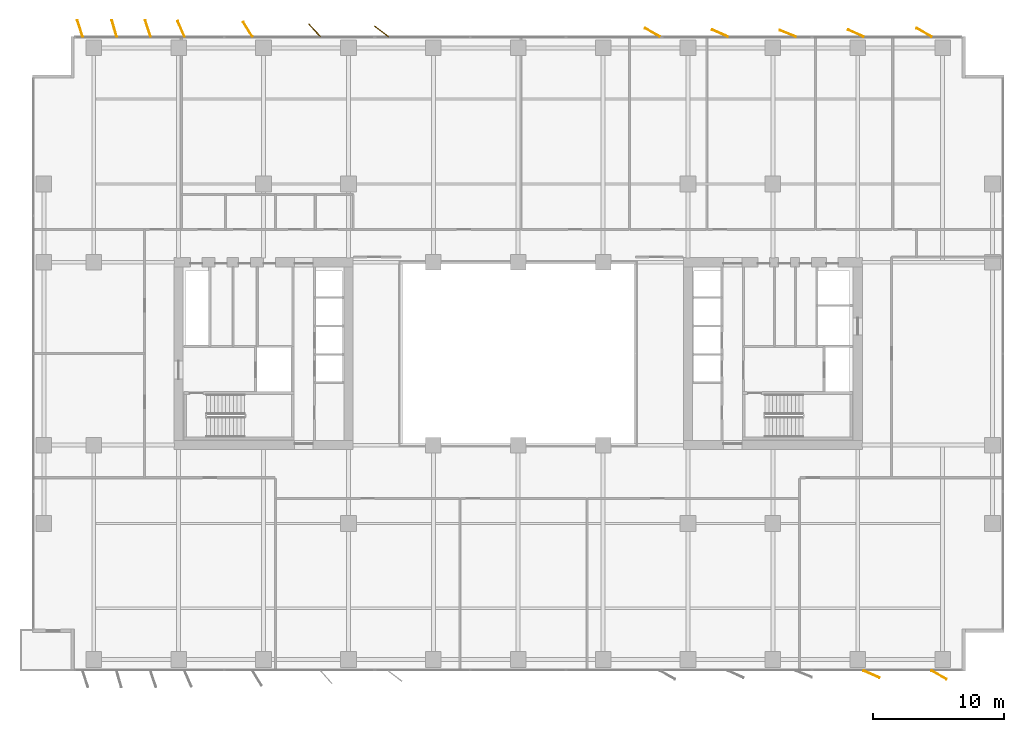
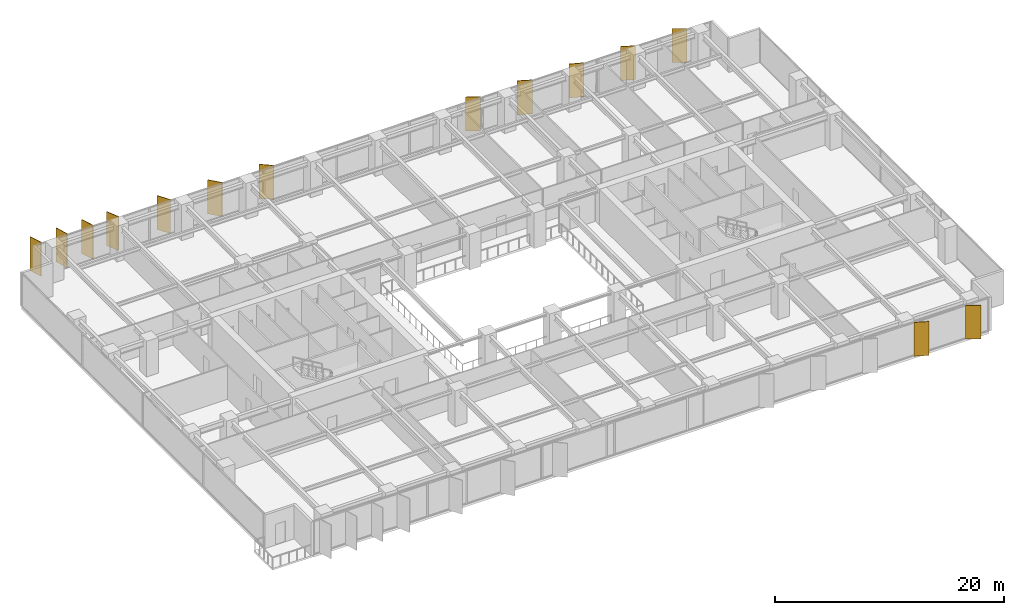
# One storey, part 20 of 20: 14 shading devices.
"""IFC4 building model written with IfcOpenShell, lengths in metres."""

import ifcopenshell
import ifcopenshell.guid

model = None  # the IFC model being written
_history = None  # IfcOwnerHistory: only IFC2X3 demands one
_inside = {}  # id of a spatial element -> (the spatial element, [elements in it])
_under = {}  # id of a project, library or spatial element -> (it, [spatial elements below it])
_declared = {}  # id of a project -> (the project, [libraries it declares])
_typed = {}  # id of a type object -> (the type object, [elements of that type])
_made_of = {}  # id of a material, layer set ... -> (it, [elements and type objects made of it])


def new_model(schema):
    """Start an empty IFC model of exactly this schema.

    Asked for "IFC4X3", IfcOpenShell would pick the latest addendum, in which some entities
    have other attributes; the version numbers below select the first issue.
    IFC2X3 requires an IfcOwnerHistory on every rooted entity: one is made here for all.
    """
    global model, _history
    if schema == "IFC4X3":
        model = ifcopenshell.file(schema_version=(4, 3, 0, 0))
    else:
        model = ifcopenshell.file(schema=schema)
    _inside.clear()
    _under.clear()
    _declared.clear()
    _typed.clear()
    _made_of.clear()
    _history = None
    if model.schema == "IFC2X3":
        org = make("IfcOrganization", Name="unknown")
        user = make(
            "IfcPersonAndOrganization",
            ThePerson=make("IfcPerson", FamilyName="unknown"),
            TheOrganization=org,
        )
        app = make(
            "IfcApplication",
            ApplicationDeveloper=org,
            Version="unknown",
            ApplicationFullName="unknown",
            ApplicationIdentifier="unknown",
        )
        _history = make(
            "IfcOwnerHistory",
            OwningUser=user,
            OwningApplication=app,
            ChangeAction="ADDED",
            CreationDate=0,
        )
    return model


def make(cls, **values):
    """One entity of the class cls with the attributes given. An attribute that is None is left unset."""
    return model.create_entity(
        cls, **{name: value for name, value in values.items() if value is not None}
    )


def rooted(cls, **values):
    """An entity with a GlobalId (a new one), such as an element, a storey or a relation."""
    return make(cls, GlobalId=ifcopenshell.guid.new(), OwnerHistory=_history, **values)


def si_unit(unit_type, name, prefix=None):
    """IfcSIUnit, for example si_unit("LENGTHUNIT", "METRE", prefix="MILLI")."""
    return make("IfcSIUnit", UnitType=unit_type, Prefix=prefix, Name=name)


def assignment(units):
    """IfcUnitAssignment: the units of a project."""
    return None if units is None else make("IfcUnitAssignment", Units=units)


def point(xyz):
    """IfcCartesianPoint."""
    return None if xyz is None else make("IfcCartesianPoint", Coordinates=xyz)


def direction(xyz):
    """IfcDirection."""
    return None if xyz is None else make("IfcDirection", DirectionRatios=xyz)


def frame(location, z_axis=None, x_axis=None):
    """IfcAxis2Placement3D, a coordinate frame: its origin and axes. An axis left out is left unset."""
    return make(
        "IfcAxis2Placement3D",
        Location=point(location),
        Axis=direction(z_axis),
        RefDirection=direction(x_axis),
    )


def frame_2d(location, x_axis=None):
    """IfcAxis2Placement2D, a coordinate frame in the plane: its origin and x axis."""
    return make(
        "IfcAxis2Placement2D", Location=point(location), RefDirection=direction(x_axis)
    )


def origin():
    """The frame at (0, 0, 0) with its axes left unset."""
    return frame((0.0, 0.0, 0.0))


def origin_2d():
    """The frame at (0, 0) in the plane with its x axis left unset."""
    return frame_2d((0.0, 0.0))


def place(relative_to, where):
    """IfcLocalPlacement: puts the frame where relative to a parent placement (None: the world)."""
    return make(
        "IfcLocalPlacement", PlacementRelTo=relative_to, RelativePlacement=where
    )


def context(
    kind, dimensions, precision=None, world=None, true_north=None, identifier=None
):
    """IfcGeometricRepresentationContext, for example the 3D "Model" context."""
    return make(
        "IfcGeometricRepresentationContext",
        ContextIdentifier=identifier,
        ContextType=kind,
        CoordinateSpaceDimension=dimensions,
        Precision=precision,
        WorldCoordinateSystem=world,
        TrueNorth=true_north,
    )


def subcontext(parent, identifier, kind, view, scale=None):
    """IfcGeometricRepresentationSubContext, for example "Body" below "Model"."""
    return make(
        "IfcGeometricRepresentationSubContext",
        ContextIdentifier=identifier,
        ContextType=kind,
        ParentContext=parent,
        TargetScale=scale,
        TargetView=view,
    )


def project(units=None, contexts=None):
    """IfcProject with its units and contexts."""
    return rooted(
        "IfcProject",
        Name="project",
        RepresentationContexts=contexts,
        UnitsInContext=assignment(units),
    )


def spatial(cls, under=None, at=None, **own):
    """A site, building, storey or space (cls), placed at a placement, below another one or the project."""
    s = rooted(cls, ObjectPlacement=at, **own)
    if under is not None:
        _under.setdefault(under.id(), (under, []))[1].append(s)
    return s


def profile(cls, at=None, kind="AREA", **sizes):
    """A parametric profile (cls). Its sizes go by their IFC names, for example OverallWidth=200.0."""
    return make(cls, ProfileType=kind, Position=at, **sizes)


def rectangle(**sizes):
    """IfcRectangleProfileDef."""
    return profile("IfcRectangleProfileDef", **sizes)


def extrude(swept, where, along, depth):
    """IfcExtrudedAreaSolid: the profile swept, set in the frame where, extruded along a direction by depth."""
    return make(
        "IfcExtrudedAreaSolid",
        SweptArea=swept,
        Position=where,
        ExtrudedDirection=direction(along),
        Depth=depth,
    )


def shape(context_of_items, identifier, shape_type, items):
    """IfcShapeRepresentation: the items that make up one representation, for example the "Body"."""
    return make(
        "IfcShapeRepresentation",
        ContextOfItems=context_of_items,
        RepresentationIdentifier=identifier,
        RepresentationType=shape_type,
        Items=items,
    )


def material(Name=None, Category=None):
    """IfcMaterial."""
    return make("IfcMaterial", Name=Name, Category=Category)


def layer(
    of_material, thickness, ventilated=None, Name=None, Category=None, Priority=None
):
    """IfcMaterialLayer: one layer of a wall or slab, of a material (None: an air gap)."""
    return make(
        "IfcMaterialLayer",
        Material=of_material,
        LayerThickness=thickness,
        IsVentilated=ventilated,
        Name=Name,
        Category=Category,
        Priority=Priority,
    )


def layer_set(layers, Name=None):
    """IfcMaterialLayerSet."""
    return make("IfcMaterialLayerSet", MaterialLayers=layers, LayerSetName=Name)


def made_of(thing, what):
    """Note that an element or type object is made of a material, layer set ...; save() writes the relation."""
    if what is not None:
        _made_of.setdefault(what.id(), (what, []))[1].append(thing)
    return thing


def type_object(cls, material=None, **own):
    """A type object (cls), such as IfcWallType, which elements share."""
    return made_of(rooted(cls, **own), material)


def element(
    cls,
    number,
    at=None,
    inside=None,
    cuts=None,
    type_object=None,
    material=None,
    context=None,
    identifier="Body",
    shape_type=None,
    held_by="IfcProductDefinitionShape",
    body=None,
    shapes=None,
    **own,
):
    """One element of the class cls, such as IfcWall. Its Tag is "e" and its number.

    at: its placement. inside: the storey or other place that contains it. cuts: it is an
    opening in that element (IfcRelVoidsElement). A single representation is given by context,
    identifier, shape_type and body (its items); several are given by shapes. held_by: the class
    of the entity that holds the representations. save() writes the other relations.
    """
    e = rooted(cls, Tag="e%d" % number, ObjectPlacement=at, **own)
    if body is not None:
        shapes = [shape(context, identifier, shape_type, body)]
    if shapes is not None:
        e.Representation = make(held_by, Representations=shapes)
    if inside is not None:
        _inside.setdefault(inside.id(), (inside, []))[1].append(e)
    if cuts is not None:
        rooted(
            "IfcRelVoidsElement", RelatingBuildingElement=cuts, RelatedOpeningElement=e
        )
    if type_object is not None:
        _typed.setdefault(type_object.id(), (type_object, []))[1].append(e)
    return made_of(e, material)


def aggregate(whole, parts):
    """IfcRelAggregates: a whole, such as a stair, and the parts it consists of."""
    return rooted("IfcRelAggregates", RelatingObject=whole, RelatedObjects=parts)


def save(model, path):
    """Write the relations noted so far, then the file.

    IfcRelAggregates (storeys below a building ...), IfcRelContainedInSpatialStructure (elements
    in a storey), IfcRelDefinesByType, IfcRelAssociatesMaterial and IfcRelDeclares: one each for
    every whole, place, type object, material and project.
    """
    for whole, parts in _under.values():
        aggregate(whole, parts)
    for where, things in _inside.values():
        rooted(
            "IfcRelContainedInSpatialStructure",
            RelatedElements=things,
            RelatingStructure=where,
        )
    for kind, things in _typed.values():
        rooted("IfcRelDefinesByType", RelatedObjects=things, RelatingType=kind)
    for what, things in _made_of.values():
        rooted("IfcRelAssociatesMaterial", RelatedObjects=things, RelatingMaterial=what)
    for by, libraries in _declared.values():
        rooted("IfcRelDeclares", RelatingContext=by, RelatedDefinitions=libraries)
    model.write(path)


model = new_model("IFC4")

# Units and contexts
model_context = context("Model", 3, precision=1e-05, world=origin(), true_north=direction((0.0, 1.0)))
body_context = subcontext(model_context, "Body", "Model", "MODEL_VIEW")
ifc_project = project(units=[si_unit("LENGTHUNIT", "METRE"), si_unit("AREAUNIT", "SQUARE_METRE"), si_unit("VOLUMEUNIT", "CUBIC_METRE"), si_unit("PLANEANGLEUNIT", "RADIAN"), si_unit("MASSUNIT", "GRAM", prefix="KILO")], contexts=[model_context])

# Site, building, storey
site_placement = place(None, origin())
site = spatial("IfcSite", under=ifc_project, at=site_placement, CompositionType="ELEMENT")
building_placement = place(site_placement, origin())
building = spatial("IfcBuilding", under=site, at=building_placement, Name="Putna Gate Headquarters", CompositionType="ELEMENT")
storey_placement = place(building_placement, frame((0.0, 0.0, 105.0)))
storey = spatial("IfcBuildingStorey", under=building, at=storey_placement, Name="L25", CompositionType="ELEMENT", Elevation=105.0)

# Shading devices
ifc_material = material(Name="Anodised architectural bronze aluminium fin", Category="aluminium")
ifc_layer = layer(ifc_material, 0.06494140625)
ifc_layer_set = layer_set([ifc_layer], Name="Anodised architectural bronze aluminium fin")
shading_device_type = type_object("IfcShadingDeviceType", Name="SHADE-BRONZE-FIN-1320", PredefinedType="USERDEFINED", material=ifc_layer_set)
for number, where, z_axis, x_axis, name in (
    (1, (5.4462890625, 50.90283203125, -0.02001953125), (0.0, 0.0, 1.0), (-0.308684994204, 0.951164325631, 0.0), "L25 Bronze Vertical Shading Fin N1"),
    (2, (8.068115234375, 50.909423828125, -0.02001953125), (0.0, 0.0, 1.0), (-0.275637355817, 0.961261695938, 0.0), "L25 Bronze Vertical Shading Fin N2"),
    (3, (10.646240234375, 50.90283203125, -0.02001953125), (0.0, 0.0, 1.0), (-0.308684994204, 0.951164325631, 0.0), "L25 Bronze Vertical Shading Fin N3"),
    (4, (13.185546875, 50.879638671875, -0.02001953125), (0.0, 0.0, 1.0), (-0.400668879095, 0.916222925562, 0.0), "L25 Bronze Vertical Shading Fin N4"),
    (5, (18.2998046875, 50.83447265625, -0.02001953125), (0.0, 0.0, 1.0), (-0.530659123936, 0.847585331506, 0.0), "L25 Bronze Vertical Shading Fin N5"),
    (6, (23.408447265625, 50.765380859375, -0.02001953125), (0.0, 0.0, 1.0), (-0.669130606359, 0.743144825477, 0.0), "L25 Bronze Vertical Shading Fin N6"),
    (7, (28.5302734375, 50.681884765625, -0.02001953125), (0.0, 0.0, 1.0), (-0.787473187632, 0.616348909921, 0.0), "L25 Bronze Vertical Shading Fin N7"),
    (8, (49.276123046875, 50.601318359375, -0.02001953125), (0.0, 0.0, 1.0), (-0.869322458298, 0.494245347472, 0.0), "L25 Bronze Vertical Shading Fin N8"),
    (9, (54.447021484375, 50.543212890625, -0.02001953125), (0.0, 0.0, 1.0), (-0.913687379856, 0.40641773078, 0.0), "L25 Bronze Vertical Shading Fin N9"),
    (10, (59.63818359375, 50.522216796875, -0.02001953125), (0.0, 0.0, 1.0), (-0.927183854567, 0.374606593416, 0.0), "L25 Bronze Vertical Shading Fin N10"),
    (11, (66.052978515625, 1.456787109375, -0.02001953125), (0.0, 0.0, 1.0), (0.913687379856, -0.40641773078, 0.0), "L25 Bronze Vertical Shading Fin S11"),
    (12, (64.846923828125, 50.543212890625, -0.02001953125), (0.0, 0.0, 1.0), (-0.913687379856, 0.40641773078, 0.0), "L25 Bronze Vertical Shading Fin N11"),
    (13, (71.223876953125, 1.398681640625, -0.02001953125), (0.0, 0.0, 1.0), (0.869322458298, -0.494245347472, 0.0), "L25 Bronze Vertical Shading Fin S12"),
    (14, (70.076171875, 50.601318359375, -0.02001953125), (0.0, 0.0, 1.0), (-0.869322458298, 0.494245347472, 0.0), "L25 Bronze Vertical Shading Fin N12"),
):
    element("IfcShadingDevice", number, at=place(storey_placement, frame(where, z_axis=z_axis, x_axis=x_axis)), inside=storey, type_object=shading_device_type, Name=name, ObjectType="FIN", PredefinedType="USERDEFINED", context=body_context, shape_type="SweptSolid", body=[
        extrude(rectangle(XDim=1.320068359375, YDim=0.06494140625, at=origin_2d()), origin(), (0.0, 0.0, 1.0), 3.60498046875),
    ])

save(model, "model.ifc")
